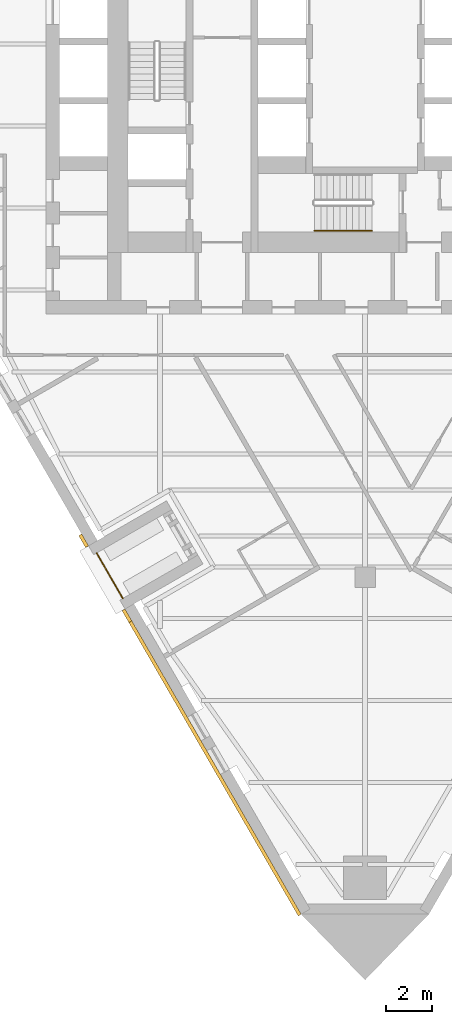
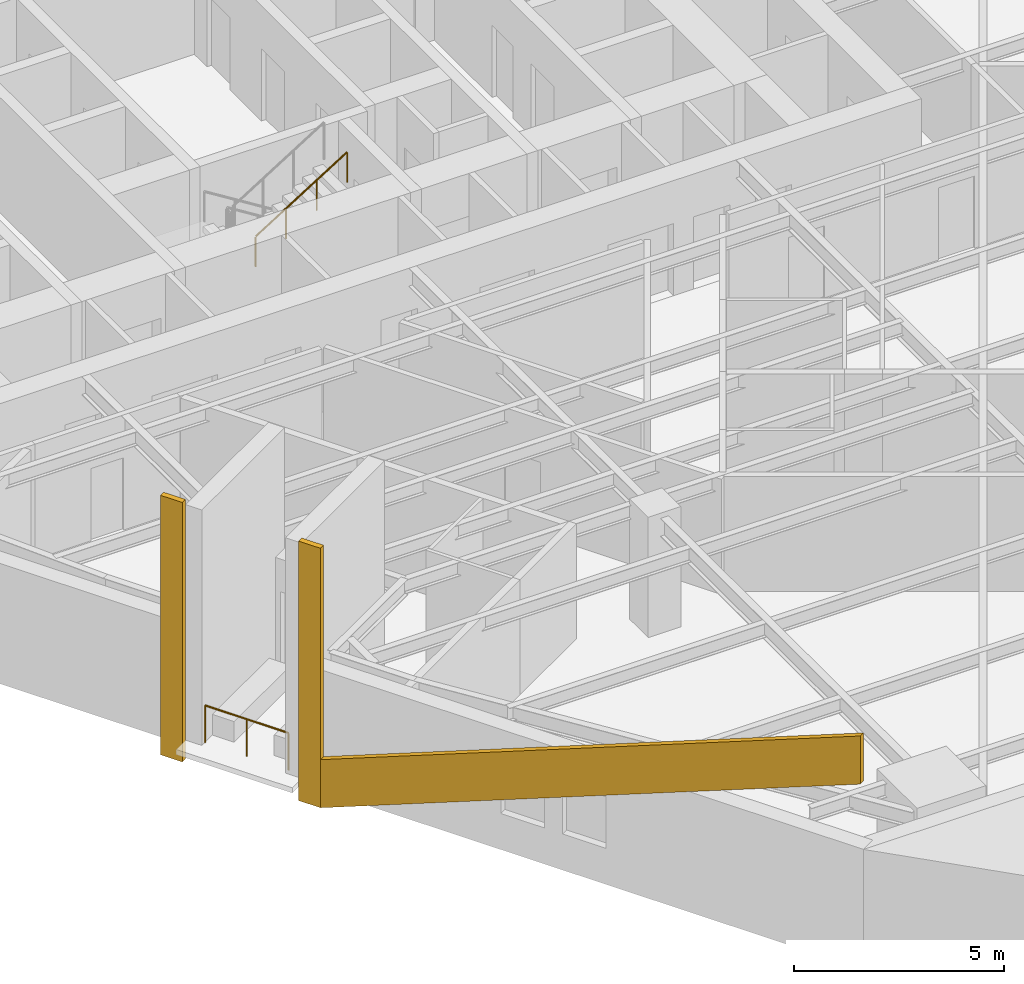
# One storey, part 8 of 9: 3 coverings, 2 railings.
"""IFC4 building model written with IfcOpenShell, lengths in metres."""

import ifcopenshell
import ifcopenshell.guid

model = None  # the IFC model being written
_history = None  # IfcOwnerHistory: only IFC2X3 demands one
_inside = {}  # id of a spatial element -> (the spatial element, [elements in it])
_under = {}  # id of a project, library or spatial element -> (it, [spatial elements below it])
_declared = {}  # id of a project -> (the project, [libraries it declares])
_typed = {}  # id of a type object -> (the type object, [elements of that type])
_made_of = {}  # id of a material, layer set ... -> (it, [elements and type objects made of it])


def new_model(schema):
    """Start an empty IFC model of exactly this schema.

    Asked for "IFC4X3", IfcOpenShell would pick the latest addendum, in which some entities
    have other attributes; the version numbers below select the first issue.
    IFC2X3 requires an IfcOwnerHistory on every rooted entity: one is made here for all.
    """
    global model, _history
    if schema == "IFC4X3":
        model = ifcopenshell.file(schema_version=(4, 3, 0, 0))
    else:
        model = ifcopenshell.file(schema=schema)
    _inside.clear()
    _under.clear()
    _declared.clear()
    _typed.clear()
    _made_of.clear()
    _history = None
    if model.schema == "IFC2X3":
        org = make("IfcOrganization", Name="unknown")
        user = make(
            "IfcPersonAndOrganization",
            ThePerson=make("IfcPerson", FamilyName="unknown"),
            TheOrganization=org,
        )
        app = make(
            "IfcApplication",
            ApplicationDeveloper=org,
            Version="unknown",
            ApplicationFullName="unknown",
            ApplicationIdentifier="unknown",
        )
        _history = make(
            "IfcOwnerHistory",
            OwningUser=user,
            OwningApplication=app,
            ChangeAction="ADDED",
            CreationDate=0,
        )
    return model


def make(cls, **values):
    """One entity of the class cls with the attributes given. An attribute that is None is left unset."""
    return model.create_entity(
        cls, **{name: value for name, value in values.items() if value is not None}
    )


def rooted(cls, **values):
    """An entity with a GlobalId (a new one), such as an element, a storey or a relation."""
    return make(cls, GlobalId=ifcopenshell.guid.new(), OwnerHistory=_history, **values)


def si_unit(unit_type, name, prefix=None):
    """IfcSIUnit, for example si_unit("LENGTHUNIT", "METRE", prefix="MILLI")."""
    return make("IfcSIUnit", UnitType=unit_type, Prefix=prefix, Name=name)


def assignment(units):
    """IfcUnitAssignment: the units of a project."""
    return None if units is None else make("IfcUnitAssignment", Units=units)


def point(xyz):
    """IfcCartesianPoint."""
    return None if xyz is None else make("IfcCartesianPoint", Coordinates=xyz)


def direction(xyz):
    """IfcDirection."""
    return None if xyz is None else make("IfcDirection", DirectionRatios=xyz)


def frame(location, z_axis=None, x_axis=None):
    """IfcAxis2Placement3D, a coordinate frame: its origin and axes. An axis left out is left unset."""
    return make(
        "IfcAxis2Placement3D",
        Location=point(location),
        Axis=direction(z_axis),
        RefDirection=direction(x_axis),
    )


def frame_2d(location, x_axis=None):
    """IfcAxis2Placement2D, a coordinate frame in the plane: its origin and x axis."""
    return make(
        "IfcAxis2Placement2D", Location=point(location), RefDirection=direction(x_axis)
    )


def origin():
    """The frame at (0, 0, 0) with its axes left unset."""
    return frame((0.0, 0.0, 0.0))


def origin_2d():
    """The frame at (0, 0) in the plane with its x axis left unset."""
    return frame_2d((0.0, 0.0))


def place(relative_to, where):
    """IfcLocalPlacement: puts the frame where relative to a parent placement (None: the world)."""
    return make(
        "IfcLocalPlacement", PlacementRelTo=relative_to, RelativePlacement=where
    )


def context(
    kind, dimensions, precision=None, world=None, true_north=None, identifier=None
):
    """IfcGeometricRepresentationContext, for example the 3D "Model" context."""
    return make(
        "IfcGeometricRepresentationContext",
        ContextIdentifier=identifier,
        ContextType=kind,
        CoordinateSpaceDimension=dimensions,
        Precision=precision,
        WorldCoordinateSystem=world,
        TrueNorth=true_north,
    )


def subcontext(parent, identifier, kind, view, scale=None):
    """IfcGeometricRepresentationSubContext, for example "Body" below "Model"."""
    return make(
        "IfcGeometricRepresentationSubContext",
        ContextIdentifier=identifier,
        ContextType=kind,
        ParentContext=parent,
        TargetScale=scale,
        TargetView=view,
    )


def project(units=None, contexts=None):
    """IfcProject with its units and contexts."""
    return rooted(
        "IfcProject",
        Name="project",
        RepresentationContexts=contexts,
        UnitsInContext=assignment(units),
    )


def spatial(cls, under=None, at=None, **own):
    """A site, building, storey or space (cls), placed at a placement, below another one or the project."""
    s = rooted(cls, ObjectPlacement=at, **own)
    if under is not None:
        _under.setdefault(under.id(), (under, []))[1].append(s)
    return s


def polyline(points):
    """IfcPolyline through the points."""
    return make("IfcPolyline", Points=[point(p) for p in points])


def profile(cls, at=None, kind="AREA", **sizes):
    """A parametric profile (cls). Its sizes go by their IFC names, for example OverallWidth=200.0."""
    return make(cls, ProfileType=kind, Position=at, **sizes)


def circle(**sizes):
    """IfcCircleProfileDef."""
    return profile("IfcCircleProfileDef", **sizes)


def outline(outer, holes=None, kind="AREA"):
    """IfcArbitraryClosedProfileDef: a profile drawn as a closed curve; with holes, ...WithVoids."""
    if holes is None:
        return make("IfcArbitraryClosedProfileDef", ProfileType=kind, OuterCurve=outer)
    return make(
        "IfcArbitraryProfileDefWithVoids",
        ProfileType=kind,
        OuterCurve=outer,
        InnerCurves=holes,
    )


def extrude(swept, where, along, depth):
    """IfcExtrudedAreaSolid: the profile swept, set in the frame where, extruded along a direction by depth."""
    return make(
        "IfcExtrudedAreaSolid",
        SweptArea=swept,
        Position=where,
        ExtrudedDirection=direction(along),
        Depth=depth,
    )


def shape(context_of_items, identifier, shape_type, items):
    """IfcShapeRepresentation: the items that make up one representation, for example the "Body"."""
    return make(
        "IfcShapeRepresentation",
        ContextOfItems=context_of_items,
        RepresentationIdentifier=identifier,
        RepresentationType=shape_type,
        Items=items,
    )


def material(Name=None, Category=None):
    """IfcMaterial."""
    return make("IfcMaterial", Name=Name, Category=Category)


def layer(
    of_material, thickness, ventilated=None, Name=None, Category=None, Priority=None
):
    """IfcMaterialLayer: one layer of a wall or slab, of a material (None: an air gap)."""
    return make(
        "IfcMaterialLayer",
        Material=of_material,
        LayerThickness=thickness,
        IsVentilated=ventilated,
        Name=Name,
        Category=Category,
        Priority=Priority,
    )


def layer_set(layers, Name=None):
    """IfcMaterialLayerSet."""
    return make("IfcMaterialLayerSet", MaterialLayers=layers, LayerSetName=Name)


def made_of(thing, what):
    """Note that an element or type object is made of a material, layer set ...; save() writes the relation."""
    if what is not None:
        _made_of.setdefault(what.id(), (what, []))[1].append(thing)
    return thing


def type_object(cls, material=None, **own):
    """A type object (cls), such as IfcWallType, which elements share."""
    return made_of(rooted(cls, **own), material)


def element(
    cls,
    number,
    at=None,
    inside=None,
    cuts=None,
    type_object=None,
    material=None,
    context=None,
    identifier="Body",
    shape_type=None,
    held_by="IfcProductDefinitionShape",
    body=None,
    shapes=None,
    **own,
):
    """One element of the class cls, such as IfcWall. Its Tag is "e" and its number.

    at: its placement. inside: the storey or other place that contains it. cuts: it is an
    opening in that element (IfcRelVoidsElement). A single representation is given by context,
    identifier, shape_type and body (its items); several are given by shapes. held_by: the class
    of the entity that holds the representations. save() writes the other relations.
    """
    e = rooted(cls, Tag="e%d" % number, ObjectPlacement=at, **own)
    if body is not None:
        shapes = [shape(context, identifier, shape_type, body)]
    if shapes is not None:
        e.Representation = make(held_by, Representations=shapes)
    if inside is not None:
        _inside.setdefault(inside.id(), (inside, []))[1].append(e)
    if cuts is not None:
        rooted(
            "IfcRelVoidsElement", RelatingBuildingElement=cuts, RelatedOpeningElement=e
        )
    if type_object is not None:
        _typed.setdefault(type_object.id(), (type_object, []))[1].append(e)
    return made_of(e, material)


def aggregate(whole, parts):
    """IfcRelAggregates: a whole, such as a stair, and the parts it consists of."""
    return rooted("IfcRelAggregates", RelatingObject=whole, RelatedObjects=parts)


def save(model, path):
    """Write the relations noted so far, then the file.

    IfcRelAggregates (storeys below a building ...), IfcRelContainedInSpatialStructure (elements
    in a storey), IfcRelDefinesByType, IfcRelAssociatesMaterial and IfcRelDeclares: one each for
    every whole, place, type object, material and project.
    """
    for whole, parts in _under.values():
        aggregate(whole, parts)
    for where, things in _inside.values():
        rooted(
            "IfcRelContainedInSpatialStructure",
            RelatedElements=things,
            RelatingStructure=where,
        )
    for kind, things in _typed.values():
        rooted("IfcRelDefinesByType", RelatedObjects=things, RelatingType=kind)
    for what, things in _made_of.values():
        rooted("IfcRelAssociatesMaterial", RelatedObjects=things, RelatingMaterial=what)
    for by, libraries in _declared.values():
        rooted("IfcRelDeclares", RelatingContext=by, RelatedDefinitions=libraries)
    model.write(path)


model = new_model("IFC4")

# Units and contexts
model_context = context("Model", 3, precision=1e-05, world=origin(), true_north=direction((0.0, 1.0)))
body_context = subcontext(model_context, "Body", "Model", "MODEL_VIEW")
ifc_project = project(units=[si_unit("LENGTHUNIT", "METRE"), si_unit("AREAUNIT", "SQUARE_METRE"), si_unit("VOLUMEUNIT", "CUBIC_METRE"), si_unit("PLANEANGLEUNIT", "RADIAN"), si_unit("MASSUNIT", "GRAM", prefix="KILO")], contexts=[model_context])

# Site, building, storey
site_placement = place(None, origin())
site = spatial("IfcSite", under=ifc_project, at=site_placement, CompositionType="ELEMENT")
building_placement = place(site_placement, origin())
building = spatial("IfcBuilding", under=site, at=building_placement, Name="Aloe Facet Convention Tower", CompositionType="ELEMENT")
storey_placement = place(building_placement, frame((0.0, 0.0, 99.300048828125)))
storey = spatial("IfcBuildingStorey", under=building, at=storey_placement, Name="L24", CompositionType="ELEMENT", Elevation=99.300048828125)

# Railing
ifc_material_1 = material(Name="Steel S355 handrail", Category="steel")
railing_type_1 = type_object("IfcRailingType", Name="CR-RL-HAND", PredefinedType="HANDRAIL", material=ifc_material_1)
railing_1_placement = place(storey_placement, frame((77.780029296875, 123.199951171875, 1.925048828125)))
element("IfcRailing", 1, at=railing_1_placement, inside=storey, type_object=railing_type_1, Name="L24 ST3 stair handrail 2", PredefinedType="HANDRAIL", context=body_context, shape_type="SweptSolid", body=[
    extrude(circle(Radius=0.02392578125, at=origin_2d()), frame((0.0, 0.0, 0.8759765625), z_axis=(0.848007534815, 0.0, 0.529984170421), x_axis=(0.0, 1.0, 0.0)), (0.0, 0.0, 1.0), 2.9716796875),
    extrude(circle(Radius=0.02099609375, at=origin_2d()), origin(), (0.0, 0.0, 1.0), 0.851806640625),
    extrude(circle(Radius=0.02099609375, at=origin_2d()), frame((0.840087890625, 0.0, 0.52490234375)), (0.0, 0.0, 1.0), 0.851806640625),
    extrude(circle(Radius=0.02099609375, at=origin_2d()), frame((1.679931640625, 0.0, 1.050048828125)), (0.0, 0.0, 1.0), 0.851806640625),
    extrude(circle(Radius=0.02099609375, at=origin_2d()), frame((2.52001953125, 0.0, 1.574951171875)), (0.0, 0.0, 1.0), 0.851806640625),
])

# Coverings
ifc_material_2 = material(Name="Bronze oxide fascia sheet")
ifc_layer = layer(ifc_material_2, 0.14990234375)
ifc_layer_set = layer_set([ifc_layer], Name="EV-FASCIA-TERR")
covering_type = type_object("IfcCoveringType", Name="EV-FASCIA-TERR", PredefinedType="CLADDING", material=ifc_layer_set)
covering_1_placement = place(storey_placement, frame((0.0, 0.0, -0.550048828125)))
element("IfcCovering", 2, at=covering_1_placement, inside=storey, type_object=covering_type, Name="Terrace frame T05 1", PredefinedType="CLADDING", context=body_context, shape_type="SweptSolid", body=[
    extrude(outline(polyline([(67.44140625, 109.822509765625), (67.741455078125, 109.302978515625), (67.871337890625, 109.3779296875), (67.5712890625, 109.8974609375), (67.44140625, 109.822509765625)])), origin(), (0.0, 0.0, 1.0), 7.550048828125),
])
covering_2_placement = place(storey_placement, frame((0.0, 0.0, -0.550048828125)))
element("IfcCovering", 3, at=covering_2_placement, inside=storey, type_object=covering_type, Name="Terrace frame T05 2", PredefinedType="CLADDING", context=body_context, shape_type="SweptSolid", body=[
    extrude(outline(polyline([(69.341552734375, 106.53173828125), (69.6416015625, 106.011962890625), (69.771484375, 106.0869140625), (69.471435546875, 106.606689453125), (69.341552734375, 106.53173828125)])), origin(), (0.0, 0.0, 1.0), 7.550048828125),
])
covering_3_placement = place(storey_placement, frame((69.6416015625, 106.011962890625, -0.550048828125), z_axis=(-0.866029060328, -0.499993666627, 0.0), x_axis=(0.464801550951, -0.805073498478, 0.368532468422)))
element("IfcCovering", 4, at=covering_3_placement, inside=storey, type_object=covering_type, Name="Spiral ribbon zone 2 part 6", PredefinedType="CLADDING", context=body_context, shape_type="SweptSolid", body=[
    extrude(outline(polyline([(0.0, 0.0), (15.982018092841349, -8.881784197001252e-16), (16.4980175328809, 1.3015970019889176), (0.5159094662923787, 1.301370045231815), (0.0, 0.0)])), origin(), (0.0, 0.0, -1.0), 0.14990234375),
])

# Railing
ifc_material_3 = material(Name="Steel S355, bronze oxide finish", Category="steel")
railing_type_2 = type_object("IfcRailingType", Name="EV-GUARD-TERR", PredefinedType="GUARDRAIL", material=ifc_material_3)
railing_2_placement = place(storey_placement, frame((68.226318359375, 109.063232421875, 0.0)))
element("IfcRailing", 5, at=railing_2_placement, inside=storey, type_object=railing_type_2, Name="GUARD T05", PredefinedType="GUARDRAIL", context=body_context, shape_type="SweptSolid", body=[
    extrude(circle(Radius=0.02392578125, at=origin_2d()), frame((0.0, 0.0, 1.076171875), z_axis=(0.499952165731, -0.866053019151, 0.0), x_axis=(0.866053019151, 0.499952165731, 0.0)), (0.0, 0.0, 1.0), 2.300048828125),
    extrude(circle(Radius=0.02099609375, at=origin_2d()), origin(), (0.0, 0.0, 1.0), 1.052001953125),
    extrude(circle(Radius=0.02099609375, at=origin_2d()), frame((0.574951171875, -0.99609375, 0.0)), (0.0, 0.0, 1.0), 1.052001953125),
    extrude(circle(Radius=0.02099609375, at=origin_2d()), frame((1.14990234375, -1.991943359375, 0.0)), (0.0, 0.0, 1.0), 1.052001953125),
])

save(model, "model.ifc")
